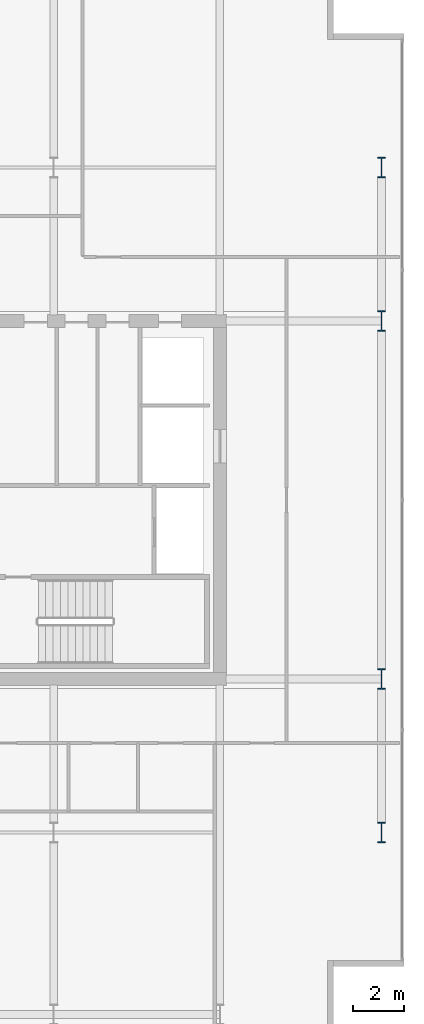
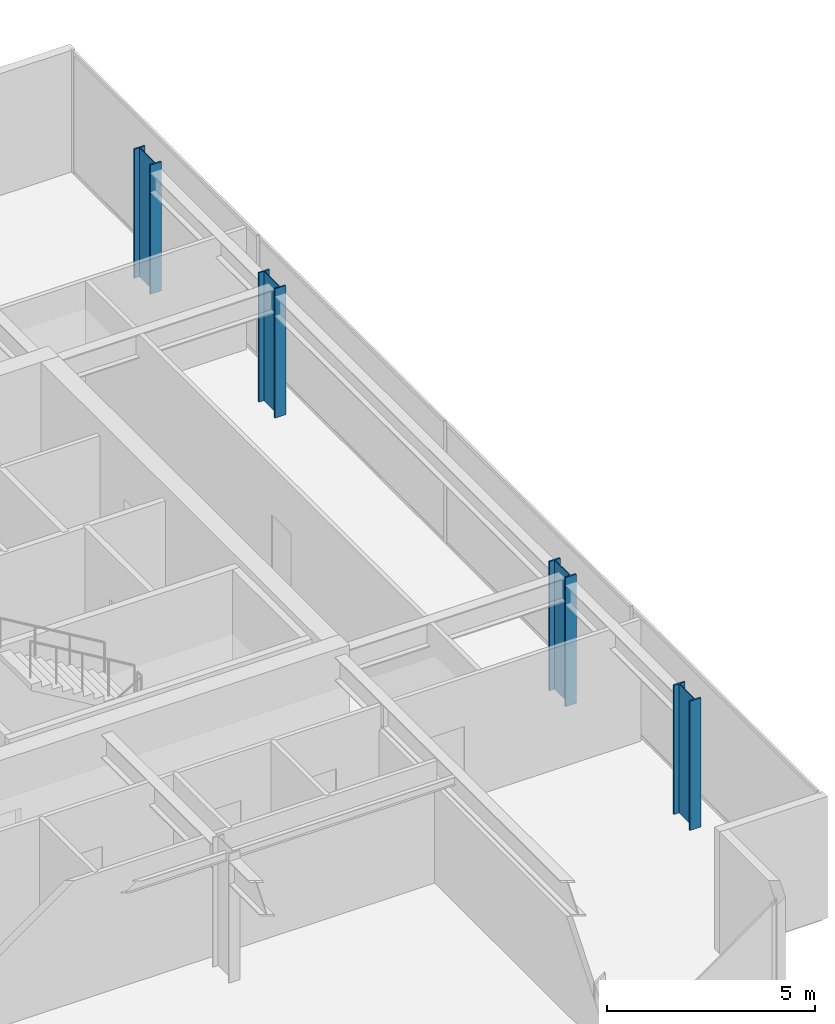
# One storey, part 2 of 23: 4 columns.
"""IFC4 building model written with IfcOpenShell, lengths in metres."""

from ifc_helpers import new_model, si_unit, direction, frame, origin, origin_2d, place, context, subcontext, project, spatial, i_section, extrude, material, material_profile, profile_set, type_object, element, save


model = new_model("IFC4")

# Units and contexts
model_context = context("Model", 3, precision=1e-05, world=origin(), true_north=direction((0.0, 1.0)))
body_context = subcontext(model_context, "Body", "Model", "MODEL_VIEW")
ifc_project = project(units=[si_unit("LENGTHUNIT", "METRE"), si_unit("AREAUNIT", "SQUARE_METRE"), si_unit("VOLUMEUNIT", "CUBIC_METRE"), si_unit("PLANEANGLEUNIT", "RADIAN"), si_unit("MASSUNIT", "GRAM", prefix="KILO")], contexts=[model_context])

# Site, building, storey
site_placement = place(None, origin())
site = spatial("IfcSite", under=ifc_project, at=site_placement, CompositionType="ELEMENT")
building_placement = place(site_placement, origin())
building = spatial("IfcBuilding", under=site, at=building_placement, Name="Putna Gate Headquarters", CompositionType="ELEMENT")
storey_placement = place(building_placement, frame((0.0, 0.0, 213.800048828125)))
storey = spatial("IfcBuildingStorey", under=building, at=storey_placement, Name="L53", CompositionType="ELEMENT", Elevation=213.800048828125)

# Columns
ifc_material = material(Name="Steel S460M", Category="steel")
ifc_material_profile = material_profile(ifc_material, i_section(OverallWidth=0.302978515625, OverallDepth=0.81396484375, WebThickness=0.02099609375, FlangeThickness=0.0400390625, at=origin_2d()), Name="Steel S460M")
ifc_profile_set = profile_set([ifc_material_profile], Name="Steel S460M")
column_type = type_object("IfcColumnType", Name="COL-STL-HEM800-EXT", PredefinedType="COLUMN", material=ifc_profile_set)
for number, where, z_axis, x_axis, name in (
    (1, (71.320068359375, 13.0, 0.0), (0.0, 0.0, 1.0), (1.0, 0.0, 0.0), "L53 Column CP-E13"),
    (2, (71.320068359375, 19.0, 0.0), (0.0, 0.0, 1.0), (1.0, 0.0, 0.0), "L53 Column CP-E19"),
    (3, (71.320068359375, 33.0, 0.0), (0.0, 0.0, 1.0), (1.0, 0.0, 0.0), "L53 Column CP-E33"),
    (4, (71.320068359375, 39.0, 0.0), (0.0, 0.0, 1.0), (1.0, 0.0, 0.0), "L53 Column CP-E39"),
):
    element("IfcColumn", number, at=place(storey_placement, frame(where, z_axis=z_axis, x_axis=x_axis)), inside=storey, type_object=column_type, Name=name, PredefinedType="COLUMN", context=body_context, shape_type="SweptSolid", body=[
        extrude(i_section(OverallWidth=0.302978515625, OverallDepth=0.81396484375, WebThickness=0.02099609375, FlangeThickness=0.0400390625, at=origin_2d()), origin(), (0.0, 0.0, 1.0), 3.800048828125),
    ])

save(model, "model.ifc")
